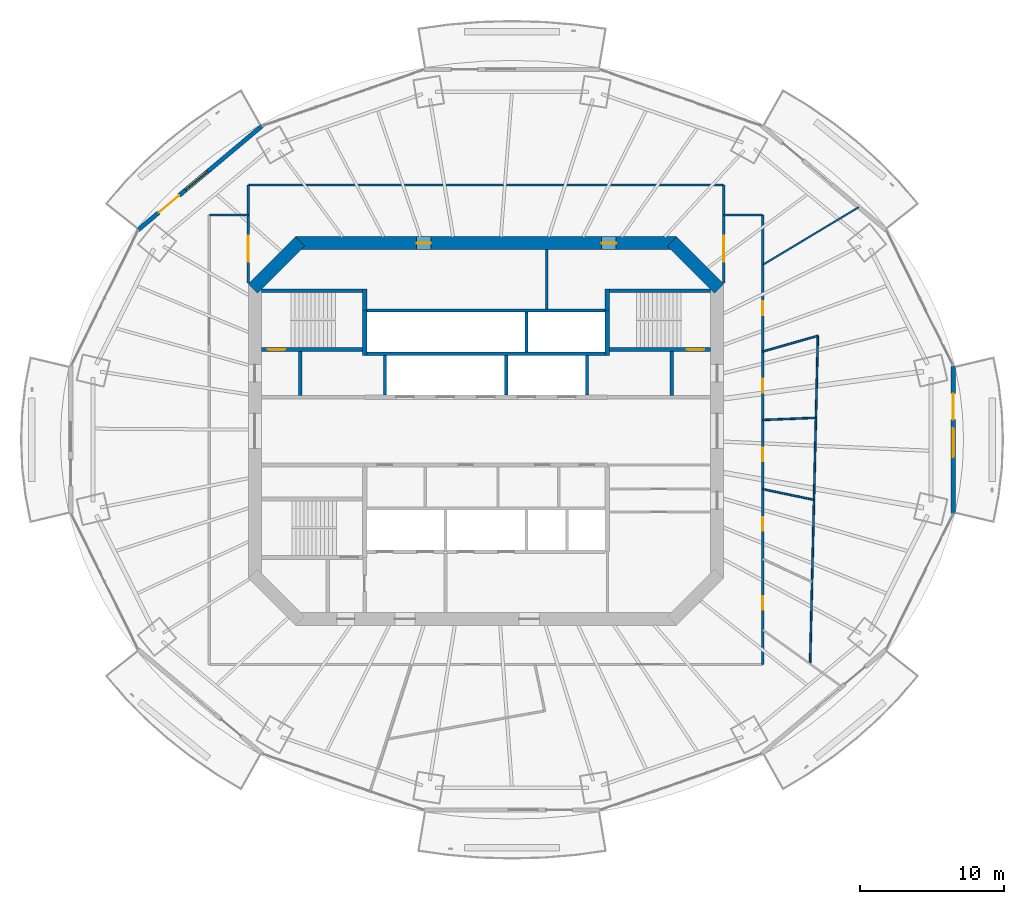
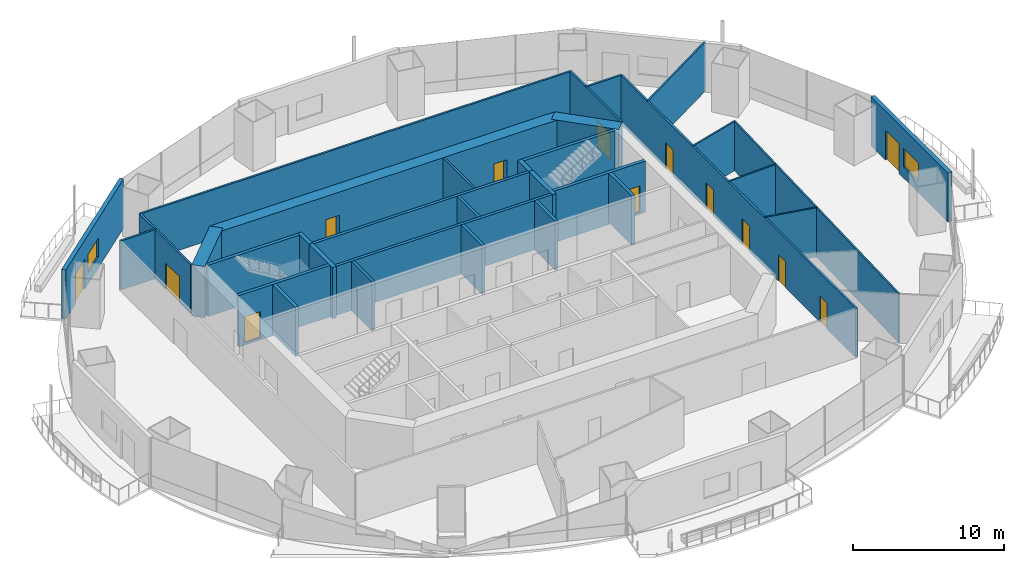
# One storey, part 13 of 20: 33 walls, 13 doors, 2 windows, 15 openings.
"""IFC4 building model written with IfcOpenShell, lengths in metres."""

from ifc_helpers import new_model, si_unit, direction, frame, frame_2d, origin, place, context, subcontext, project, spatial, rectangle, extrude, material, layer, layer_set, type_object, element, fill, save


model = new_model("IFC4")

# Units and contexts
model_context = context("Model", 3, precision=1e-05, world=origin(), true_north=direction((0.0, 1.0)))
body_context = subcontext(model_context, "Body", "Model", "MODEL_VIEW")
ifc_project = project(units=[si_unit("LENGTHUNIT", "METRE"), si_unit("AREAUNIT", "SQUARE_METRE"), si_unit("VOLUMEUNIT", "CUBIC_METRE"), si_unit("PLANEANGLEUNIT", "RADIAN"), si_unit("MASSUNIT", "GRAM", prefix="KILO")], contexts=[model_context])

# Site, building, storey
site_placement = place(None, origin())
site = spatial("IfcSite", under=ifc_project, at=site_placement, CompositionType="ELEMENT")
building_placement = place(site_placement, origin())
building = spatial("IfcBuilding", under=site, at=building_placement, Name="Marenthal Gate Tower", CompositionType="ELEMENT")
storey_placement = place(building_placement, frame((0.0, 0.0, 215.0)))
storey = spatial("IfcBuildingStorey", under=building, at=storey_placement, Name="L47", CompositionType="ELEMENT", Elevation=215.0)

# Wall
ifc_material_1 = material(Name="Concrete 60 MPa", Category="concrete")
ifc_layer_1 = layer(ifc_material_1, 0.89990234375)
ifc_layer_set_1 = layer_set([ifc_layer_1], Name="Core shear wall 900")
wall_type_1 = type_object("IfcWallType", Name="Core shear wall 900", PredefinedType="SHEAR", material=ifc_layer_set_1)
wall_1_placement = place(storey_placement, frame((16.1318359375, 9.8681640625, -0.179931640625), z_axis=(0.0, 0.0, 1.0), x_axis=(-0.707106781187, 0.707106781187, 0.0)))
element("IfcWall", 1, at=wall_1_placement, inside=storey, type_object=wall_type_1, Name="Core wall 03", PredefinedType="SHEAR", context=body_context, shape_type="SweptSolid", body=[
    extrude(rectangle(XDim=4.615478515625, YDim=0.89990234375, at=frame_2d((2.3076171875, 0.0))), origin(), (0.0, 0.0, 1.0), 4.14990234375),
])

# Wall, openings, doors
wall_2_placement = place(storey_placement, frame((13.186279296875, 13.0, -0.179931640625), z_axis=(0.0, 0.0, 1.0), x_axis=(-1.0, 0.0, 0.0)))
wall_2 = element("IfcWall", 2, at=wall_2_placement, inside=storey, type_object=wall_type_1, Name="Core wall 04", PredefinedType="SHEAR", context=body_context, shape_type="SweptSolid", body=[
    extrude(rectangle(XDim=26.37255859375, YDim=0.89990234375, at=frame_2d((13.186279296875, 0.0))), origin(), (0.0, 0.0, 1.0), 4.14990234375),
])
opening_1_placement = place(wall_2_placement, frame((16.993408203125, 0.0, 0.179931640625)))
opening_1 = element("IfcOpeningElement", 3, at=opening_1_placement, cuts=wall_2, Name="Opening D005.05", PredefinedType="OPENING", context=body_context, shape_type="SweptSolid", body=[
    extrude(rectangle(XDim=1.0, YDim=2.10009765625, at=frame_2d((0.5, 1.050048828125))), frame((0.0, 0.4599609375, 0.0), z_axis=(0.0, -1.0, 0.0), x_axis=(1.0, 0.0, 0.0)), (0.0, 0.0, 1.0), 0.919921875),
])
opening_2_placement = place(wall_2_placement, frame((4.179443359375, 0.0, 0.179931640625)))
opening_2 = element("IfcOpeningElement", 4, at=opening_2_placement, cuts=wall_2, Name="Opening D005.06", PredefinedType="OPENING", context=body_context, shape_type="SweptSolid", body=[
    extrude(rectangle(XDim=1.0, YDim=2.10009765625, at=frame_2d((0.5, 1.050048828125))), frame((0.0, 0.4599609375, 0.0), z_axis=(0.0, -1.0, 0.0), x_axis=(1.0, 0.0, 0.0)), (0.0, 0.0, 1.0), 0.919921875),
])
ifc_material_2 = material(Name="Steel fire door", Category="steel")
door_type_1 = type_object("IfcDoorType", Name="Fire door FD 45 1000 x 2100", OperationType="NOTDEFINED", PredefinedType="DOOR", material=ifc_material_2)
door_1_placement = place(opening_1_placement, origin())
door_1 = element("IfcDoor", 5, at=door_1_placement, inside=storey, type_object=door_type_1, Name="Door D005.05", OperationType="SINGLE_SWING_RIGHT", OverallHeight=2.10009765625, OverallWidth=1.0, PredefinedType="DOOR", context=body_context, shape_type="SweptSolid", body=[
    extrude(rectangle(XDim=1.0, YDim=2.10009765625, at=frame_2d((0.5, 1.050048828125))), frame((0.0, 0.02490234375, 0.0), z_axis=(0.0, -1.0, 0.0), x_axis=(1.0, 0.0, 0.0)), (0.0, 0.0, 1.0), 0.050048828125),
])
fill(opening_1, door_1)
door_2_placement = place(opening_2_placement, origin())
door_2 = element("IfcDoor", 6, at=door_2_placement, inside=storey, type_object=door_type_1, Name="Door D005.06", OperationType="SINGLE_SWING_RIGHT", OverallHeight=2.10009765625, OverallWidth=1.0, PredefinedType="DOOR", context=body_context, shape_type="SweptSolid", body=[
    extrude(rectangle(XDim=1.0, YDim=2.10009765625, at=frame_2d((0.5, 1.050048828125))), frame((0.0, 0.02490234375, 0.0), z_axis=(0.0, -1.0, 0.0), x_axis=(1.0, 0.0, 0.0)), (0.0, 0.0, 1.0), 0.050048828125),
])
fill(opening_2, door_2)

# Walls
wall_3_placement = place(storey_placement, frame((-12.8681640625, 13.1318359375, -0.179931640625), z_axis=(0.0, 0.0, 1.0), x_axis=(-0.707106781187, -0.707106781187, 0.0)))
element("IfcWall", 7, at=wall_3_placement, inside=storey, type_object=wall_type_1, Name="Core wall 05", PredefinedType="SHEAR", context=body_context, shape_type="SweptSolid", body=[
    extrude(rectangle(XDim=4.615478515625, YDim=0.89990234375, at=frame_2d((2.3076171875, 0.0))), origin(), (0.0, 0.0, 1.0), 4.14990234375),
])
ifc_material_3 = material(Name="Concrete 50 MPa", Category="concrete")
ifc_layer_2 = layer(ifc_material_3, 0.300048828125)
ifc_layer_set_2 = layer_set([ifc_layer_2], Name="Hoistway shear wall 300")
wall_type_2 = type_object("IfcWallType", Name="Hoistway shear wall 300", PredefinedType="SHEAR", material=ifc_layer_set_2)
for number, where, z_axis, x_axis, name in (
    (8, (-8.39990234375, 5.239990234375, -0.179931640625), (0.0, 0.0, 1.0), (0.0, 1.0, 0.0), "Hoistway wall 32"),
    (9, (8.39990234375, 5.239990234375, -0.179931640625), (0.0, 0.0, 1.0), (0.0, 1.0, 0.0), "Hoistway wall 48"),
):
    element("IfcWall", number, at=place(storey_placement, frame(where, z_axis=z_axis, x_axis=x_axis)), inside=storey, type_object=wall_type_2, Name=name, PredefinedType="SHEAR", context=body_context, shape_type="SweptSolid", body=[
        extrude(rectangle(XDim=3.110107421875, YDim=0.300048828125, at=frame_2d((1.55517578125, 0.0))), origin(), (0.0, 0.0, 1.0), 4.14990234375),
    ])
ifc_material_4 = material(Name="Concrete 40 MPa", Category="concrete")
ifc_layer_3 = layer(ifc_material_4, 0.219970703125)
ifc_layer_set_3 = layer_set([ifc_layer_3], Name="Hoistway wall 220")
wall_type_3 = type_object("IfcWallType", Name="Hoistway wall 220", PredefinedType="STANDARD", material=ifc_layer_set_3)
for number, where, z_axis, x_axis, name in (
    (10, (-8.25, 5.35009765625, 0.0), (0.0, 0.0, 1.0), (1.0, 0.0, 0.0), "Hoistway wall 22"),
    (11, (-8.25, 8.35009765625, 0.0), (0.0, 0.0, 1.0), (1.0, 0.0, 0.0), "Hoistway wall 25"),
):
    element("IfcWall", number, at=place(storey_placement, frame(where, z_axis=z_axis, x_axis=x_axis)), inside=storey, type_object=wall_type_3, Name=name, PredefinedType="STANDARD", context=body_context, shape_type="SweptSolid", body=[
        extrude(rectangle(XDim=16.5, YDim=0.219970703125, at=frame_2d((8.25, 0.0))), origin(), (0.0, 0.0, 1.0), 3.969970703125),
    ])
for number, where, z_axis, x_axis, name in (
    (12, (-7.0, 2.5, 0.0), (0.0, 0.0, 1.0), (0.0, 1.0, 0.0), "Hoistway wall 34"),
    (13, (1.39990234375, 2.5, 0.0), (0.0, 0.0, 1.0), (0.0, 1.0, 0.0), "Hoistway wall 39"),
):
    element("IfcWall", number, at=place(storey_placement, frame(where, z_axis=z_axis, x_axis=x_axis)), inside=storey, type_object=wall_type_3, Name=name, PredefinedType="STANDARD", context=body_context, shape_type="SweptSolid", body=[
        extrude(rectangle(XDim=2.739990234375, YDim=0.219970703125, at=frame_2d((1.3701171875, 0.0))), origin(), (0.0, 0.0, 1.0), 3.969970703125),
    ])
wall_4_placement = place(storey_placement, frame((2.800048828125, 5.4599609375, 0.0), z_axis=(0.0, 0.0, 1.0), x_axis=(0.0, 1.0, 0.0)))
element("IfcWall", 14, at=wall_4_placement, inside=storey, type_object=wall_type_3, Name="Hoistway wall 41", PredefinedType="STANDARD", context=body_context, shape_type="SweptSolid", body=[
    extrude(rectangle(XDim=2.780029296875, YDim=0.219970703125, at=frame_2d((1.39013671875, 0.0))), origin(), (0.0, 0.0, 1.0), 3.969970703125),
])
wall_5_placement = place(storey_placement, frame((7.0, 2.5, 0.0), z_axis=(0.0, 0.0, 1.0), x_axis=(0.0, 1.0, 0.0)))
element("IfcWall", 15, at=wall_5_placement, inside=storey, type_object=wall_type_3, Name="Hoistway wall 45", PredefinedType="STANDARD", context=body_context, shape_type="SweptSolid", body=[
    extrude(rectangle(XDim=2.739990234375, YDim=0.219970703125, at=frame_2d((1.3701171875, 0.0))), origin(), (0.0, 0.0, 1.0), 3.969970703125),
])
ifc_material_5 = material(Name="Gypsum board on steel studs", Category="steel")
ifc_layer_4 = layer(ifc_material_5, 0.1201171875)
ifc_layer_set_4 = layer_set([ifc_layer_4], Name="Partition 120")
wall_type_4 = type_object("IfcWallType", Name="Partition 120", PredefinedType="PARTITIONING", material=ifc_layer_set_4)
wall_6_placement = place(storey_placement, frame((19.14990234375, 11.501220703125, 0.0), z_axis=(0.0, 0.0, 1.0), x_axis=(0.857259644741, 0.514884357404, 0.0)))
element("IfcWall", 16, at=wall_6_placement, inside=storey, type_object=wall_type_4, Name="Partition wall 62", PredefinedType="PARTITIONING", context=body_context, shape_type="SweptSolid", body=[
    extrude(rectangle(XDim=7.759765625, YDim=0.1201171875, at=frame_2d((3.8798828125, 0.0))), origin(), (0.0, 0.0, 1.0), 3.969970703125),
])
wall_7_placement = place(storey_placement, frame((22.431884765625, -16.11669921875, 0.0), z_axis=(0.0, 0.0, 1.0), x_axis=(0.023619180301, 0.999721028248, 0.0)))
element("IfcWall", 17, at=wall_7_placement, inside=storey, type_object=wall_type_4, Name="Partition wall 64", PredefinedType="PARTITIONING", context=body_context, shape_type="SweptSolid", body=[
    extrude(rectangle(XDim=22.7197265625, YDim=0.1201171875, at=frame_2d((11.35986328125, 0.0))), origin(), (0.0, 0.0, 1.0), 3.969970703125),
])
wall_8_placement = place(storey_placement, frame((22.7001953125, -4.760009765625, 0.0), z_axis=(0.0, 0.0, 1.0), x_axis=(-0.978705174883, 0.205270993219, 0.0)))
element("IfcWall", 18, at=wall_8_placement, inside=storey, type_object=wall_type_4, Name="Partition wall 66", PredefinedType="PARTITIONING", context=body_context, shape_type="SweptSolid", body=[
    extrude(rectangle(XDim=3.62744140625, YDim=0.1201171875, at=frame_2d((1.813720703125, 0.0))), origin(), (0.0, 0.0, 1.0), 3.969970703125),
])
wall_9_placement = place(storey_placement, frame((22.83447265625, 0.91845703125, 0.0), z_axis=(0.0, 0.0, 1.0), x_axis=(-0.999192156412, -0.040187492641, 0.0)))
element("IfcWall", 19, at=wall_9_placement, inside=storey, type_object=wall_type_4, Name="Partition wall 67", PredefinedType="PARTITIONING", context=body_context, shape_type="SweptSolid", body=[
    extrude(rectangle(XDim=3.6875, YDim=0.1201171875, at=frame_2d((1.84375, 0.0))), origin(), (0.0, 0.0, 1.0), 3.969970703125),
])
wall_10_placement = place(storey_placement, frame((22.968505859375, 6.5966796875, 0.0), z_axis=(0.0, 0.0, 1.0), x_axis=(-0.961147388984, -0.276035680028, 0.0)))
element("IfcWall", 20, at=wall_10_placement, inside=storey, type_object=wall_type_4, Name="Partition wall 68", PredefinedType="PARTITIONING", context=body_context, shape_type="SweptSolid", body=[
    extrude(rectangle(XDim=3.972900390625, YDim=0.1201171875, at=frame_2d((1.986328125, 0.0))), origin(), (0.0, 0.0, 1.0), 3.969970703125),
])
ifc_material_6 = material(Name="Gypsum board on steel studs", Category="steel")
ifc_layer_5 = layer(ifc_material_6, 0.14990234375)
ifc_layer_set_5 = layer_set([ifc_layer_5], Name="Partition 150")
wall_type_5 = type_object("IfcWallType", Name="Partition 150", PredefinedType="PARTITIONING", material=ifc_layer_set_5)
wall_11_placement = place(storey_placement, frame((4.199951171875, 8.4599609375, 0.0), z_axis=(0.0, 0.0, 1.0), x_axis=(0.0, 1.0, 0.0)))
element("IfcWall", 21, at=wall_11_placement, inside=storey, type_object=wall_type_5, Name="Partition wall 42", PredefinedType="PARTITIONING", context=body_context, shape_type="SweptSolid", body=[
    extrude(rectangle(XDim=4.090087890625, YDim=0.14990234375, at=frame_2d((2.044921875, 0.0))), origin(), (0.0, 0.0, 1.0), 3.969970703125),
])
wall_12_placement = place(storey_placement, frame((-19.14990234375, 14.964111328125, 0.0), z_axis=(0.0, 0.0, 1.0), x_axis=(1.0, 0.0, 0.0)))
element("IfcWall", 22, at=wall_12_placement, inside=storey, type_object=wall_type_5, Name="Partition wall 52", PredefinedType="PARTITIONING", context=body_context, shape_type="SweptSolid", body=[
    extrude(rectangle(XDim=2.699951171875, YDim=0.14990234375, at=frame_2d((1.35009765625, 0.0))), origin(), (0.0, 0.0, 1.0), 3.969970703125),
])

# Wall, opening, door
wall_13_placement = place(storey_placement, frame((-16.449951171875, 10.25, 0.0), z_axis=(0.0, 0.0, 1.0), x_axis=(0.0, 1.0, 0.0)))
wall_13 = element("IfcWall", 23, at=wall_13_placement, inside=storey, type_object=wall_type_5, Name="Partition wall 53", PredefinedType="PARTITIONING", context=body_context, shape_type="SweptSolid", body=[
    extrude(rectangle(XDim=6.77197265625, YDim=0.14990234375, at=frame_2d((3.385986328125, 0.0))), origin(), (0.0, 0.0, 1.0), 3.969970703125),
])
opening_3_placement = place(wall_13_placement, frame((1.45703125, 0.0, 0.0)))
opening_3 = element("IfcOpeningElement", 24, at=opening_3_placement, cuts=wall_13, Name="Opening D014.03", PredefinedType="OPENING", context=body_context, shape_type="SweptSolid", body=[
    extrude(rectangle(XDim=1.800048828125, YDim=2.10009765625, at=frame_2d((0.89990234375, 1.050048828125))), frame((0.0, 0.0849609375, 0.0), z_axis=(0.0, -1.0, 0.0), x_axis=(1.0, 0.0, 0.0)), (0.0, 0.0, 1.0), 0.169921875),
])
ifc_material_7 = material(Name="Timber door", Category="wood")
door_type_2 = type_object("IfcDoorType", Name="Double door 1800 x 2100", OperationType="DOUBLE_DOOR_SINGLE_SWING", PredefinedType="DOOR", material=ifc_material_7)
door_3_placement = place(opening_3_placement, origin())
door_3 = element("IfcDoor", 25, at=door_3_placement, inside=storey, type_object=door_type_2, Name="Door D014.03", OperationType="DOUBLE_DOOR_SINGLE_SWING", OverallHeight=2.10009765625, OverallWidth=1.800048828125, PredefinedType="DOOR", context=body_context, shape_type="SweptSolid", body=[
    extrude(rectangle(XDim=1.800048828125, YDim=2.10009765625, at=frame_2d((0.89990234375, 1.050048828125))), frame((0.0, 0.02490234375, 0.0), z_axis=(0.0, -1.0, 0.0), x_axis=(1.0, 0.0, 0.0)), (0.0, 0.0, 1.0), 0.050048828125),
])
fill(opening_3, door_3)

# Wall
wall_14_placement = place(storey_placement, frame((-16.449951171875, 17.02197265625, 0.0), z_axis=(0.0, 0.0, 1.0), x_axis=(1.0, 0.0, 0.0)))
element("IfcWall", 26, at=wall_14_placement, inside=storey, type_object=wall_type_5, Name="Partition wall 54", PredefinedType="PARTITIONING", context=body_context, shape_type="SweptSolid", body=[
    extrude(rectangle(XDim=32.89990234375, YDim=0.14990234375, at=frame_2d((16.449951171875, 0.0))), origin(), (0.0, 0.0, 1.0), 3.969970703125),
])

# Wall, opening, door
wall_15_placement = place(storey_placement, frame((16.449951171875, 10.25, 0.0), z_axis=(0.0, 0.0, 1.0), x_axis=(0.0, 1.0, 0.0)))
wall_15 = element("IfcWall", 27, at=wall_15_placement, inside=storey, type_object=wall_type_5, Name="Partition wall 58", PredefinedType="PARTITIONING", context=body_context, shape_type="SweptSolid", body=[
    extrude(rectangle(XDim=6.77197265625, YDim=0.14990234375, at=frame_2d((3.385986328125, 0.0))), origin(), (0.0, 0.0, 1.0), 3.969970703125),
])
opening_4_placement = place(wall_15_placement, frame((1.45703125, 0.0, 0.0)))
opening_4 = element("IfcOpeningElement", 28, at=opening_4_placement, cuts=wall_15, Name="Opening D014.04", PredefinedType="OPENING", context=body_context, shape_type="SweptSolid", body=[
    extrude(rectangle(XDim=1.800048828125, YDim=2.10009765625, at=frame_2d((0.89990234375, 1.050048828125))), frame((0.0, 0.0849609375, 0.0), z_axis=(0.0, -1.0, 0.0), x_axis=(1.0, 0.0, 0.0)), (0.0, 0.0, 1.0), 0.169921875),
])
door_4_placement = place(opening_4_placement, origin())
door_4 = element("IfcDoor", 29, at=door_4_placement, inside=storey, type_object=door_type_2, Name="Door D014.04", OperationType="DOUBLE_DOOR_SINGLE_SWING", OverallHeight=2.10009765625, OverallWidth=1.800048828125, PredefinedType="DOOR", context=body_context, shape_type="SweptSolid", body=[
    extrude(rectangle(XDim=1.800048828125, YDim=2.10009765625, at=frame_2d((0.89990234375, 1.050048828125))), frame((0.0, 0.02490234375, 0.0), z_axis=(0.0, -1.0, 0.0), x_axis=(1.0, 0.0, 0.0)), (0.0, 0.0, 1.0), 0.050048828125),
])
fill(opening_4, door_4)

# Wall
wall_16_placement = place(storey_placement, frame((16.449951171875, 14.964111328125, 0.0), z_axis=(0.0, 0.0, 1.0), x_axis=(1.0, 0.0, 0.0)))
element("IfcWall", 30, at=wall_16_placement, inside=storey, type_object=wall_type_5, Name="Partition wall 59", PredefinedType="PARTITIONING", context=body_context, shape_type="SweptSolid", body=[
    extrude(rectangle(XDim=2.699951171875, YDim=0.14990234375, at=frame_2d((1.35009765625, 0.0))), origin(), (0.0, 0.0, 1.0), 3.969970703125),
])

# Wall, openings, doors
wall_17_placement = place(storey_placement, frame((19.14990234375, 14.964111328125, 0.0), z_axis=(0.0, 0.0, 1.0), x_axis=(0.0, -1.0, 0.0)))
wall_17 = element("IfcWall", 31, at=wall_17_placement, inside=storey, type_object=wall_type_5, Name="Partition wall 63", PredefinedType="PARTITIONING", context=body_context, shape_type="SweptSolid", body=[
    extrude(rectangle(XDim=31.114013671875, YDim=0.14990234375, at=frame_2d((15.55712890625, 0.0))), origin(), (0.0, 0.0, 1.0), 3.969970703125),
])
opening_5_placement = place(wall_17_placement, frame((26.39306640625, 0.0, 0.0)))
opening_5 = element("IfcOpeningElement", 32, at=opening_5_placement, cuts=wall_17, Name="Opening D016.02", PredefinedType="OPENING", context=body_context, shape_type="SweptSolid", body=[
    extrude(rectangle(XDim=0.949951171875, YDim=2.10009765625, at=frame_2d((0.47509765625, 1.050048828125))), frame((0.0, 0.0849609375, 0.0), z_axis=(0.0, -1.0, 0.0), x_axis=(1.0, 0.0, 0.0)), (0.0, 0.0, 1.0), 0.169921875),
])
opening_6_placement = place(wall_17_placement, frame((20.926025390625, 0.0, 0.0)))
opening_6 = element("IfcOpeningElement", 33, at=opening_6_placement, cuts=wall_17, Name="Opening D016.03", PredefinedType="OPENING", context=body_context, shape_type="SweptSolid", body=[
    extrude(rectangle(XDim=0.949951171875, YDim=2.10009765625, at=frame_2d((0.47509765625, 1.050048828125))), frame((0.0, 0.0849609375, 0.0), z_axis=(0.0, -1.0, 0.0), x_axis=(1.0, 0.0, 0.0)), (0.0, 0.0, 1.0), 0.169921875),
])
opening_7_placement = place(wall_17_placement, frame((16.112060546875, 0.0, 0.0)))
opening_7 = element("IfcOpeningElement", 34, at=opening_7_placement, cuts=wall_17, Name="Opening D016.04", PredefinedType="OPENING", context=body_context, shape_type="SweptSolid", body=[
    extrude(rectangle(XDim=0.949951171875, YDim=2.10009765625, at=frame_2d((0.47509765625, 1.050048828125))), frame((0.0, 0.0849609375, 0.0), z_axis=(0.0, -1.0, 0.0), x_axis=(1.0, 0.0, 0.0)), (0.0, 0.0, 1.0), 0.169921875),
])
opening_8_placement = place(wall_17_placement, frame((11.35400390625, 0.0, 0.0)))
opening_8 = element("IfcOpeningElement", 35, at=opening_8_placement, cuts=wall_17, Name="Opening D016.05", PredefinedType="OPENING", context=body_context, shape_type="SweptSolid", body=[
    extrude(rectangle(XDim=0.949951171875, YDim=2.10009765625, at=frame_2d((0.47509765625, 1.050048828125))), frame((0.0, 0.0849609375, 0.0), z_axis=(0.0, -1.0, 0.0), x_axis=(1.0, 0.0, 0.0)), (0.0, 0.0, 1.0), 0.169921875),
])
opening_9_placement = place(wall_17_placement, frame((5.989013671875, 0.0, 0.0)))
opening_9 = element("IfcOpeningElement", 36, at=opening_9_placement, cuts=wall_17, Name="Opening D016.06", PredefinedType="OPENING", context=body_context, shape_type="SweptSolid", body=[
    extrude(rectangle(XDim=0.949951171875, YDim=2.10009765625, at=frame_2d((0.47509765625, 1.050048828125))), frame((0.0, 0.0849609375, 0.0), z_axis=(0.0, -1.0, 0.0), x_axis=(1.0, 0.0, 0.0)), (0.0, 0.0, 1.0), 0.169921875),
])
ifc_material_8 = material(Name="Timber door", Category="wood")
door_type_3 = type_object("IfcDoorType", Name="Door 950 x 2100", OperationType="NOTDEFINED", PredefinedType="DOOR", material=ifc_material_8)
door_5_placement = place(opening_5_placement, origin())
door_5 = element("IfcDoor", 37, at=door_5_placement, inside=storey, type_object=door_type_3, Name="Door D016.02", OperationType="SINGLE_SWING_RIGHT", OverallHeight=2.10009765625, OverallWidth=0.949951171875, PredefinedType="DOOR", context=body_context, shape_type="SweptSolid", body=[
    extrude(rectangle(XDim=0.949951171875, YDim=2.10009765625, at=frame_2d((0.47509765625, 1.050048828125))), frame((0.0, 0.02490234375, 0.0), z_axis=(0.0, -1.0, 0.0), x_axis=(1.0, 0.0, 0.0)), (0.0, 0.0, 1.0), 0.050048828125),
])
fill(opening_5, door_5)
door_6_placement = place(opening_6_placement, origin())
door_6 = element("IfcDoor", 38, at=door_6_placement, inside=storey, type_object=door_type_3, Name="Door D016.03", OperationType="SINGLE_SWING_RIGHT", OverallHeight=2.10009765625, OverallWidth=0.949951171875, PredefinedType="DOOR", context=body_context, shape_type="SweptSolid", body=[
    extrude(rectangle(XDim=0.949951171875, YDim=2.10009765625, at=frame_2d((0.47509765625, 1.050048828125))), frame((0.0, 0.02490234375, 0.0), z_axis=(0.0, -1.0, 0.0), x_axis=(1.0, 0.0, 0.0)), (0.0, 0.0, 1.0), 0.050048828125),
])
fill(opening_6, door_6)
door_7_placement = place(opening_7_placement, origin())
door_7 = element("IfcDoor", 39, at=door_7_placement, inside=storey, type_object=door_type_3, Name="Door D016.04", OperationType="SINGLE_SWING_RIGHT", OverallHeight=2.10009765625, OverallWidth=0.949951171875, PredefinedType="DOOR", context=body_context, shape_type="SweptSolid", body=[
    extrude(rectangle(XDim=0.949951171875, YDim=2.10009765625, at=frame_2d((0.47509765625, 1.050048828125))), frame((0.0, 0.02490234375, 0.0), z_axis=(0.0, -1.0, 0.0), x_axis=(1.0, 0.0, 0.0)), (0.0, 0.0, 1.0), 0.050048828125),
])
fill(opening_7, door_7)
door_8_placement = place(opening_8_placement, origin())
door_8 = element("IfcDoor", 40, at=door_8_placement, inside=storey, type_object=door_type_3, Name="Door D016.05", OperationType="SINGLE_SWING_RIGHT", OverallHeight=2.10009765625, OverallWidth=0.949951171875, PredefinedType="DOOR", context=body_context, shape_type="SweptSolid", body=[
    extrude(rectangle(XDim=0.949951171875, YDim=2.10009765625, at=frame_2d((0.47509765625, 1.050048828125))), frame((0.0, 0.02490234375, 0.0), z_axis=(0.0, -1.0, 0.0), x_axis=(1.0, 0.0, 0.0)), (0.0, 0.0, 1.0), 0.050048828125),
])
fill(opening_8, door_8)
door_9_placement = place(opening_9_placement, origin())
door_9 = element("IfcDoor", 41, at=door_9_placement, inside=storey, type_object=door_type_3, Name="Door D016.06", OperationType="SINGLE_SWING_RIGHT", OverallHeight=2.10009765625, OverallWidth=0.949951171875, PredefinedType="DOOR", context=body_context, shape_type="SweptSolid", body=[
    extrude(rectangle(XDim=0.949951171875, YDim=2.10009765625, at=frame_2d((0.47509765625, 1.050048828125))), frame((0.0, 0.02490234375, 0.0), z_axis=(0.0, -1.0, 0.0), x_axis=(1.0, 0.0, 0.0)), (0.0, 0.0, 1.0), 0.050048828125),
])
fill(opening_9, door_9)

# Walls
ifc_material_9 = material(Name="Concrete 40 MPa", Category="concrete")
ifc_layer_6 = layer(ifc_material_9, 0.25)
ifc_layer_set_6 = layer_set([ifc_layer_6], Name="Stair enclosure wall 250")
wall_type_6 = type_object("IfcWallType", Name="Stair enclosure wall 250", PredefinedType="STANDARD", material=ifc_layer_set_6)
for number, where, z_axis, x_axis, name in (
    (42, (-12.85009765625, 2.47509765625, 0.0), (0.0, 0.0, 1.0), (0.0, 1.0, 0.0), "Stair wall 28"),
    (43, (12.85009765625, 2.47509765625, 0.0), (0.0, 0.0, 1.0), (0.0, 1.0, 0.0), "Stair wall 50"),
):
    element("IfcWall", number, at=place(storey_placement, frame(where, z_axis=z_axis, x_axis=x_axis)), inside=storey, type_object=wall_type_6, Name=name, PredefinedType="STANDARD", context=body_context, shape_type="SweptSolid", body=[
        extrude(rectangle(XDim=3.0498046875, YDim=0.25, at=frame_2d((1.52490234375, 0.0))), origin(), (0.0, 0.0, 1.0), 3.969970703125),
    ])

# Wall, opening, door
ifc_material_10 = material(Name="Concrete 50 MPa", Category="concrete")
ifc_layer_7 = layer(ifc_material_10, 0.25)
ifc_layer_set_7 = layer_set([ifc_layer_7], Name="Stair shear wall 250")
wall_type_7 = type_object("IfcWallType", Name="Stair shear wall 250", PredefinedType="SHEAR", material=ifc_layer_set_7)
wall_18_placement = place(storey_placement, frame((-15.550048828125, 5.64990234375, -0.179931640625), z_axis=(0.0, 0.0, 1.0), x_axis=(1.0, 0.0, 0.0)))
wall_18 = element("IfcWall", 44, at=wall_18_placement, inside=storey, type_object=wall_type_7, Name="Stair wall 23", PredefinedType="SHEAR", context=body_context, shape_type="SweptSolid", body=[
    extrude(rectangle(XDim=7.0, YDim=0.25, at=frame_2d((3.5, 0.0))), origin(), (0.0, 0.0, 1.0), 4.14990234375),
])
opening_10_placement = place(wall_18_placement, frame((0.449951171875, 0.0, 0.179931640625)))
opening_10 = element("IfcOpeningElement", 45, at=opening_10_placement, cuts=wall_18, Name="Opening D001.01", PredefinedType="OPENING", context=body_context, shape_type="SweptSolid", body=[
    extrude(rectangle(XDim=1.199951171875, YDim=2.10009765625, at=frame_2d((0.60009765625, 1.050048828125))), frame((0.0, 0.135009765625, 0.0), z_axis=(0.0, -1.0, 0.0), x_axis=(1.0, 0.0, 0.0)), (0.0, 0.0, 1.0), 0.27001953125),
])
ifc_material_11 = material(Name="Steel fire door", Category="steel")
door_type_4 = type_object("IfcDoorType", Name="Fire door FD 90 1200 x 2100", OperationType="NOTDEFINED", PredefinedType="DOOR", material=ifc_material_11)
door_10_placement = place(opening_10_placement, origin())
door_10 = element("IfcDoor", 46, at=door_10_placement, inside=storey, type_object=door_type_4, Name="Door D001.01", OperationType="SINGLE_SWING_RIGHT", OverallHeight=2.10009765625, OverallWidth=1.199951171875, PredefinedType="DOOR", context=body_context, shape_type="SweptSolid", body=[
    extrude(rectangle(XDim=1.199951171875, YDim=2.10009765625, at=frame_2d((0.60009765625, 1.050048828125))), frame((0.0, 0.02490234375, 0.0), z_axis=(0.0, -1.0, 0.0), x_axis=(1.0, 0.0, 0.0)), (0.0, 0.0, 1.0), 0.050048828125),
])
fill(opening_10, door_10)

wall_19_placement = place(storey_placement, frame((8.550048828125, 5.64990234375, -0.179931640625), z_axis=(0.0, 0.0, 1.0), x_axis=(1.0, 0.0, 0.0)))
wall_19 = element("IfcWall", 47, at=wall_19_placement, inside=storey, type_object=wall_type_7, Name="Stair wall 24", PredefinedType="SHEAR", context=body_context, shape_type="SweptSolid", body=[
    extrude(rectangle(XDim=7.0, YDim=0.25, at=frame_2d((3.5, 0.0))), origin(), (0.0, 0.0, 1.0), 4.14990234375),
])
opening_11_placement = place(wall_19_placement, frame((5.35009765625, 0.0, 0.179931640625)))
opening_11 = element("IfcOpeningElement", 48, at=opening_11_placement, cuts=wall_19, Name="Opening D001.02", PredefinedType="OPENING", context=body_context, shape_type="SweptSolid", body=[
    extrude(rectangle(XDim=1.199951171875, YDim=2.10009765625, at=frame_2d((0.60009765625, 1.050048828125))), frame((0.0, 0.135009765625, 0.0), z_axis=(0.0, -1.0, 0.0), x_axis=(1.0, 0.0, 0.0)), (0.0, 0.0, 1.0), 0.27001953125),
])
door_11_placement = place(opening_11_placement, origin())
door_11 = element("IfcDoor", 49, at=door_11_placement, inside=storey, type_object=door_type_4, Name="Door D001.02", OperationType="SINGLE_SWING_RIGHT", OverallHeight=2.10009765625, OverallWidth=1.199951171875, PredefinedType="DOOR", context=body_context, shape_type="SweptSolid", body=[
    extrude(rectangle(XDim=1.199951171875, YDim=2.10009765625, at=frame_2d((0.60009765625, 1.050048828125))), frame((0.0, 0.02490234375, 0.0), z_axis=(0.0, -1.0, 0.0), x_axis=(1.0, 0.0, 0.0)), (0.0, 0.0, 1.0), 0.050048828125),
])
fill(opening_11, door_11)

# Walls
for number, where, z_axis, x_axis, name in (
    (50, (-15.550048828125, 9.699951171875, -0.179931640625), (0.0, 0.0, 1.0), (1.0, 0.0, 0.0), "Stair wall 26"),
    (51, (8.550048828125, 9.699951171875, -0.179931640625), (0.0, 0.0, 1.0), (1.0, 0.0, 0.0), "Stair wall 27"),
):
    element("IfcWall", number, at=place(storey_placement, frame(where, z_axis=z_axis, x_axis=x_axis)), inside=storey, type_object=wall_type_7, Name=name, PredefinedType="SHEAR", context=body_context, shape_type="SweptSolid", body=[
        extrude(rectangle(XDim=7.0, YDim=0.25, at=frame_2d((3.5, 0.0))), origin(), (0.0, 0.0, 1.0), 4.14990234375),
    ])
ifc_material_12 = material(Name="Concrete 50 MPa", Category="concrete")
ifc_layer_8 = layer(ifc_material_12, 0.300048828125)
ifc_layer_set_8 = layer_set([ifc_layer_8], Name="Stair shear wall 300")
wall_type_8 = type_object("IfcWallType", Name="Stair shear wall 300", PredefinedType="SHEAR", material=ifc_layer_set_8)
for number, where, z_axis, x_axis, name in (
    (52, (-8.39990234375, 8.35009765625, -0.179931640625), (0.0, 0.0, 1.0), (0.0, 1.0, 0.0), "Stair wall 33"),
    (53, (8.39990234375, 8.35009765625, -0.179931640625), (0.0, 0.0, 1.0), (0.0, 1.0, 0.0), "Stair wall 49"),
):
    element("IfcWall", number, at=place(storey_placement, frame(where, z_axis=z_axis, x_axis=x_axis)), inside=storey, type_object=wall_type_8, Name=name, PredefinedType="SHEAR", context=body_context, shape_type="SweptSolid", body=[
        extrude(rectangle(XDim=1.474853515625, YDim=0.300048828125, at=frame_2d((0.7373046875, 0.0))), origin(), (0.0, 0.0, 1.0), 4.14990234375),
    ])

# Wall, openings, door, window
ifc_material_13 = material(Name="Terracotta cladding on insulated concrete-block backing", Category="masonry")
ifc_layer_9 = layer(ifc_material_13, 0.300048828125)
ifc_layer_set_9 = layer_set([ifc_layer_9], Name="Terracotta facade wall 300")
wall_type_9 = type_object("IfcWallType", Name="Terracotta facade wall 300", PredefinedType="SOLIDWALL", material=ifc_layer_set_9)
wall_20_placement = place(storey_placement, frame((-15.494873046875, 21.126220703125, 0.0), z_axis=(0.0, 0.0, 1.0), x_axis=(-0.76593385613, -0.642919379109, 0.0)))
wall_20 = element("IfcWall", 54, at=wall_20_placement, inside=storey, type_object=wall_type_9, Name="Terracotta facade wall L47 bay 6", PredefinedType="SOLIDWALL", context=body_context, shape_type="SweptSolid", body=[
    extrude(rectangle(XDim=11.21337890625, YDim=0.300048828125, at=frame_2d((5.606689453125, 0.0))), origin(), (0.0, 0.0, 1.0), 3.969970703125),
])
opening_12_placement = place(wall_20_placement, frame((7.51318359375, 0.0, 0.0)))
opening_12 = element("IfcOpeningElement", 55, at=opening_12_placement, cuts=wall_20, Name="Opening BD-L47-06", PredefinedType="OPENING", context=body_context, shape_type="SweptSolid", body=[
    extrude(rectangle(XDim=1.800048828125, YDim=2.39990234375, at=frame_2d((0.89990234375, 1.199951171875))), frame((0.0, 0.16015625, 0.0), z_axis=(0.0, -1.0, 0.0), x_axis=(1.0, 0.0, 0.0)), (0.0, 0.0, 1.0), 0.320068359375),
])
opening_13_placement = place(wall_20_placement, frame((4.913330078125, 0.0, 0.89990234375)))
opening_13 = element("IfcOpeningElement", 56, at=opening_13_placement, cuts=wall_20, Name="Opening WN2-L47-06", PredefinedType="OPENING", context=body_context, shape_type="SweptSolid", body=[
    extrude(rectangle(XDim=2.0, YDim=1.5, at=frame_2d((1.0, 0.75))), frame((0.0, 0.16015625, 0.0), z_axis=(0.0, -1.0, 0.0), x_axis=(1.0, 0.0, 0.0)), (0.0, 0.0, 1.0), 0.320068359375),
])
ifc_material_14 = material(Name="Aluminium and glass", Category="aluminium")
door_type_5 = type_object("IfcDoorType", Name="Balcony door 1800x2400", OperationType="DOUBLE_DOOR_SINGLE_SWING", PredefinedType="DOOR", material=ifc_material_14)
door_12_placement = place(opening_12_placement, origin())
door_12 = element("IfcDoor", 57, at=door_12_placement, inside=storey, type_object=door_type_5, Name="Balcony door L47 bay 6", OperationType="SINGLE_SWING_LEFT", OverallHeight=2.39990234375, OverallWidth=1.800048828125, PredefinedType="DOOR", context=body_context, shape_type="SweptSolid", body=[
    extrude(rectangle(XDim=1.800048828125, YDim=2.39990234375, at=frame_2d((0.89990234375, 1.199951171875))), frame((0.0, 0.02490234375, 0.0), z_axis=(0.0, -1.0, 0.0), x_axis=(1.0, 0.0, 0.0)), (0.0, 0.0, 1.0), 0.050048828125),
])
fill(opening_12, door_12)
ifc_material_15 = material(Name="Aluminium and glass", Category="aluminium")
window_type = type_object("IfcWindowType", Name="Window 2000x1500", PartitioningType="DOUBLE_PANEL_VERTICAL", PredefinedType="WINDOW", material=ifc_material_15)
window_1_placement = place(opening_13_placement, origin())
window_1 = element("IfcWindow", 58, at=window_1_placement, inside=storey, type_object=window_type, Name="Window L47 bay 6", OverallHeight=1.5, OverallWidth=2.0, PartitioningType="SINGLE_PANEL", PredefinedType="WINDOW", context=body_context, shape_type="SweptSolid", body=[
    extrude(rectangle(XDim=2.0, YDim=1.5, at=frame_2d((1.0, 0.75))), frame((0.0, 0.030029296875, 0.0), z_axis=(0.0, -1.0, 0.0), x_axis=(1.0, 0.0, 0.0)), (0.0, 0.0, 1.0), 0.06005859375),
])
fill(opening_13, window_1)

wall_21_placement = place(storey_placement, frame((32.331787109375, -5.69775390625, 0.0), z_axis=(0.0, 0.0, 1.0), x_axis=(0.0, 1.0, 0.0)))
wall_21 = element("IfcWall", 59, at=wall_21_placement, inside=storey, type_object=wall_type_9, Name="Terracotta facade wall L47 bay 16", PredefinedType="SOLIDWALL", context=body_context, shape_type="SweptSolid", body=[
    extrude(rectangle(XDim=10.195556640625, YDim=0.300048828125, at=frame_2d((5.09765625, 0.0))), origin(), (0.0, 0.0, 1.0), 3.969970703125),
])
opening_14_placement = place(wall_21_placement, frame((6.495361328125, 0.0, 0.0)))
opening_14 = element("IfcOpeningElement", 60, at=opening_14_placement, cuts=wall_21, Name="Opening BD-L47-16", PredefinedType="OPENING", context=body_context, shape_type="SweptSolid", body=[
    extrude(rectangle(XDim=1.800048828125, YDim=2.39990234375, at=frame_2d((0.89990234375, 1.199951171875))), frame((0.0, 0.16015625, 0.0), z_axis=(0.0, -1.0, 0.0), x_axis=(1.0, 0.0, 0.0)), (0.0, 0.0, 1.0), 0.320068359375),
])
opening_15_placement = place(wall_21_placement, frame((3.8955078125, 0.0, 0.89990234375)))
opening_15 = element("IfcOpeningElement", 61, at=opening_15_placement, cuts=wall_21, Name="Opening WN2-L47-16", PredefinedType="OPENING", context=body_context, shape_type="SweptSolid", body=[
    extrude(rectangle(XDim=2.0, YDim=1.5, at=frame_2d((1.0, 0.75))), frame((0.0, 0.16015625, 0.0), z_axis=(0.0, -1.0, 0.0), x_axis=(1.0, 0.0, 0.0)), (0.0, 0.0, 1.0), 0.320068359375),
])
door_13_placement = place(opening_14_placement, origin())
door_13 = element("IfcDoor", 62, at=door_13_placement, inside=storey, type_object=door_type_5, Name="Balcony door L47 bay 16", OperationType="SINGLE_SWING_LEFT", OverallHeight=2.39990234375, OverallWidth=1.800048828125, PredefinedType="DOOR", context=body_context, shape_type="SweptSolid", body=[
    extrude(rectangle(XDim=1.800048828125, YDim=2.39990234375, at=frame_2d((0.89990234375, 1.199951171875))), frame((0.0, 0.02490234375, 0.0), z_axis=(0.0, -1.0, 0.0), x_axis=(1.0, 0.0, 0.0)), (0.0, 0.0, 1.0), 0.050048828125),
])
fill(opening_14, door_13)
window_2_placement = place(opening_15_placement, origin())
window_2 = element("IfcWindow", 63, at=window_2_placement, inside=storey, type_object=window_type, Name="Window L47 bay 16", OverallHeight=1.5, OverallWidth=2.0, PartitioningType="SINGLE_PANEL", PredefinedType="WINDOW", context=body_context, shape_type="SweptSolid", body=[
    extrude(rectangle(XDim=2.0, YDim=1.5, at=frame_2d((1.0, 0.75))), frame((0.0, 0.030029296875, 0.0), z_axis=(0.0, -1.0, 0.0), x_axis=(1.0, 0.0, 0.0)), (0.0, 0.0, 1.0), 0.06005859375),
])
fill(opening_15, window_2)

save(model, "model.ifc")
